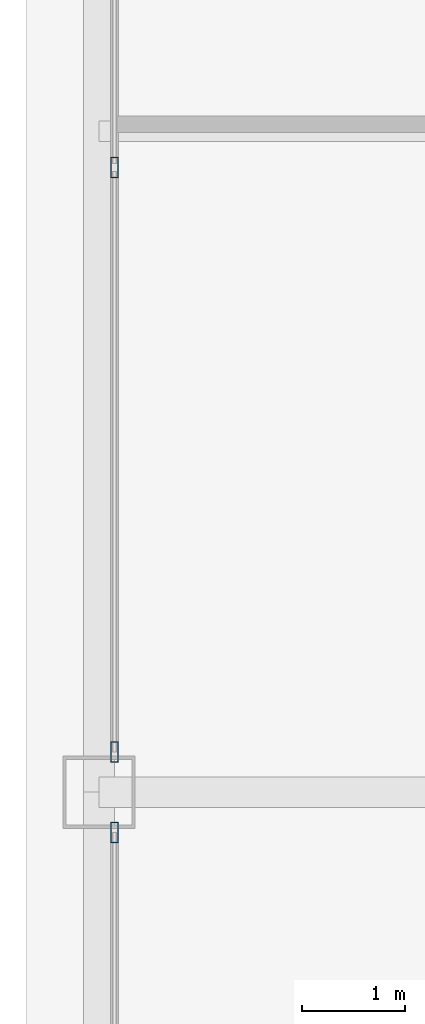
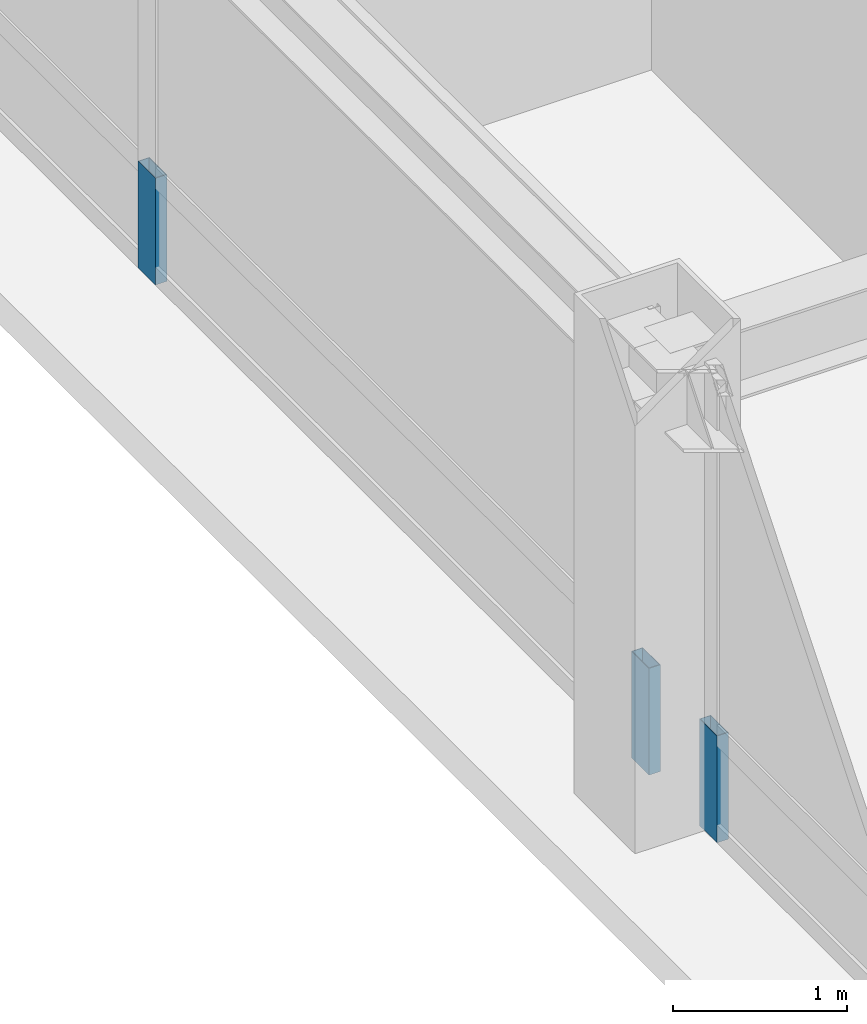
# One storey, part 23 of 35: 3 members, 2 elements without a shape of their own.
"""IFC4 building model written with IfcOpenShell, lengths in metres."""

from ifc_helpers import new_model, si_unit, direction, frame, origin, origin_2d, place, context, subcontext, project, spatial, hollow_rectangle, extrude, source, transform, mapped, material, layer, layer_set, material_profile, profile_set, type_object, element, aggregate, save


model = new_model("IFC4")

# Units and contexts
model_context = context("Model", 3, precision=1e-05, world=origin(), true_north=direction((0.0, 1.0)))
body_context = subcontext(model_context, "Body", "Model", "MODEL_VIEW")
ifc_project = project(units=[si_unit("LENGTHUNIT", "METRE"), si_unit("AREAUNIT", "SQUARE_METRE"), si_unit("VOLUMEUNIT", "CUBIC_METRE"), si_unit("PLANEANGLEUNIT", "RADIAN"), si_unit("MASSUNIT", "GRAM", prefix="KILO"), si_unit("THERMODYNAMICTEMPERATUREUNIT", "KELVIN"), si_unit("POWERUNIT", "WATT")], contexts=[model_context])

# Site, building, storey
site_placement = place(None, origin())
site = spatial("IfcSite", under=ifc_project, at=site_placement, CompositionType="ELEMENT")
building_placement = place(site_placement, origin())
building = spatial("IfcBuilding", under=site, at=building_placement, Name="Yuzanri Waterfront Tower", CompositionType="ELEMENT")
storey_placement = place(building_placement, frame((0.0, 0.0, 335.699951171875)))
storey = spatial("IfcBuildingStorey", under=building, at=storey_placement, Name="L90", CompositionType="ELEMENT", Elevation=335.699951171875)

# Curtain wall, member
ifc_material_1 = material(Name="Anodized Architectural Bronze", Category="metal")
ifc_layer = layer(ifc_material_1, 0.159912109375)
ifc_layer_set = layer_set([ifc_layer], Name="Anodized Architectural Bronze")
curtain_wall_type = type_object("IfcCurtainWallType", Name="Anodized Bronze High-Rise Penthouse High-Wind Unitized Curtain Wall 6900", PredefinedType="NOTDEFINED", material=ifc_layer_set)
curtain_wall_1_placement = place(storey_placement, origin())
curtain_wall_1 = element("IfcCurtainWall", 1, at=curtain_wall_1_placement, inside=storey, type_object=curtain_wall_type, Name="L90 Curtain Wall CW-L90-WL", PredefinedType="NOTDEFINED")
ifc_material_2 = material(Name="Anodized Architectural Bronze", Category="metal")
ifc_material_profile = material_profile(ifc_material_2, hollow_rectangle(XDim=0.074951171875, YDim=0.199951171875, WallThickness=0.00390625, at=origin_2d()), Name="CWM 75x200")
ifc_profile_set = profile_set([ifc_material_profile], Name="Anodized Architectural Bronze")
member_type = type_object("IfcMemberType", Name="Anodized Bronze Primary Curtain-Wall Mullion 75x200", PredefinedType="MULLION", material=ifc_profile_set)
shared_shape = source(origin(), body_context, "Body", "SweptSolid", [
    extrude(hollow_rectangle(XDim=0.074951171875, YDim=0.199951171875, WallThickness=0.00390625, at=origin_2d()), origin(), (0.0, 0.0, 1.0), 0.748046875),
])
member_1_placement = place(storey_placement, frame((18.050048828125, 25.409912109375, 0.0), z_axis=(0.0, 0.0, 1.0), x_axis=(1.0, 0.0, 0.0)))
member_1 = element("IfcMember", 2, at=member_1_placement, type_object=member_type, Name="CW-L90-WL Lower Mullion 02", PredefinedType="MULLION", context=body_context, shape_type="MappedRepresentation", body=[
    mapped(shared_shape, transform((0.0, 0.0, 0.0), scale=1.0)),
])
aggregate(curtain_wall_1, [member_1])

# Curtain wall, members
curtain_wall_2_placement = place(storey_placement, origin())
curtain_wall_2 = element("IfcCurtainWall", 3, at=curtain_wall_2_placement, inside=storey, type_object=curtain_wall_type, Name="L90 Curtain Wall CW-L90-WR", PredefinedType="NOTDEFINED")
member_2_placement = place(storey_placement, frame((18.050048828125, 26.18994140625, 0.0), z_axis=(0.0, 0.0, 1.0), x_axis=(1.0, 0.0, 0.0)))
member_2 = element("IfcMember", 4, at=member_2_placement, type_object=member_type, Name="CW-L90-WR Lower Mullion 00", PredefinedType="MULLION", context=body_context, shape_type="MappedRepresentation", body=[
    mapped(shared_shape, transform((0.0, 0.0, 0.0), scale=1.0)),
])
member_3_placement = place(storey_placement, frame((18.050048828125, 31.85009765625, 0.0), z_axis=(0.0, 0.0, 1.0), x_axis=(1.0, 0.0, 0.0)))
member_3 = element("IfcMember", 5, at=member_3_placement, type_object=member_type, Name="CW-L90-WR Lower Mullion 01", PredefinedType="MULLION", context=body_context, shape_type="MappedRepresentation", body=[
    mapped(shared_shape, transform((0.0, 0.0, 0.0), scale=1.0)),
])
aggregate(curtain_wall_2, [member_2, member_3])

save(model, "model.ifc")
